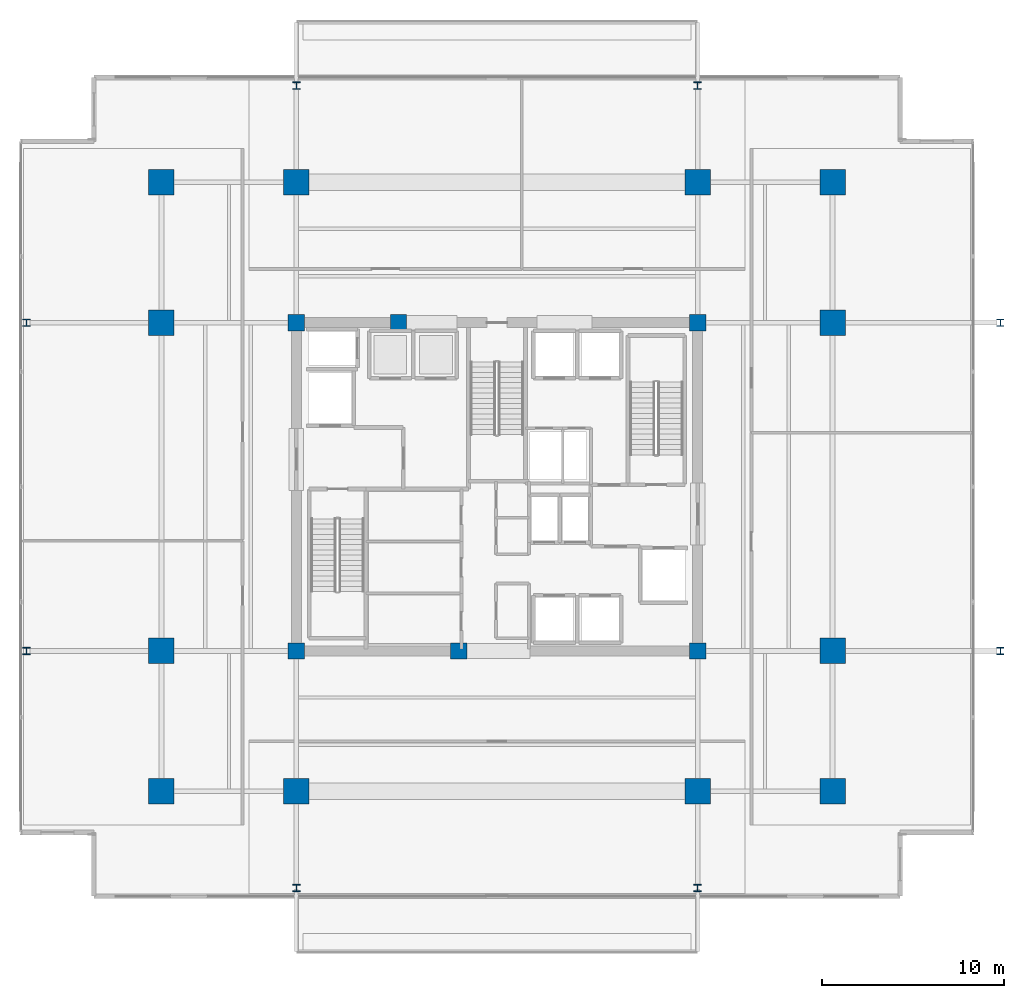
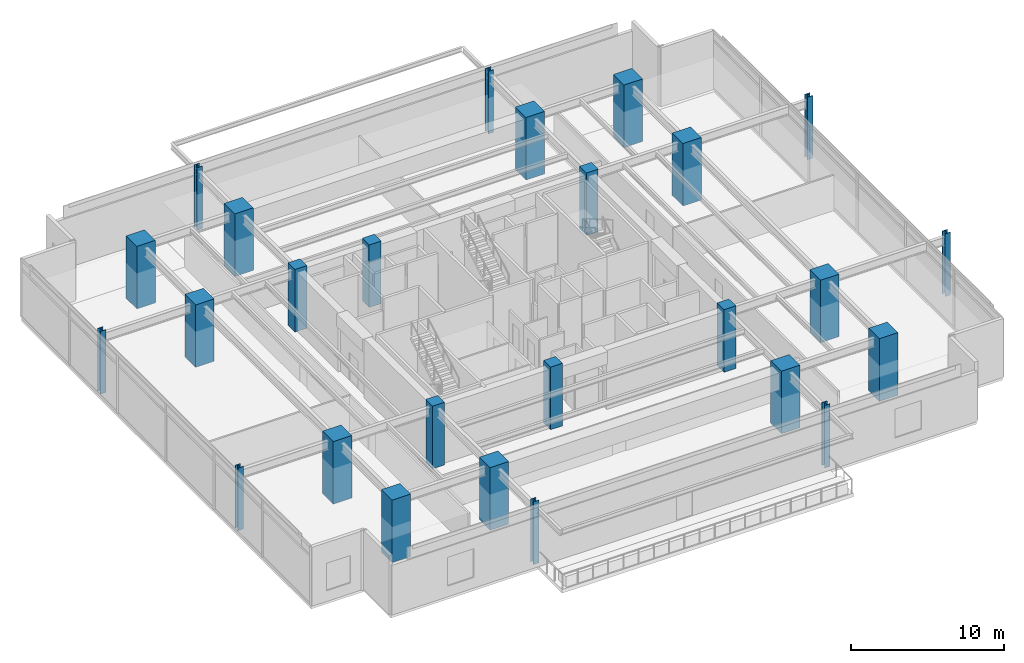
# One storey, part 1 of 25: 26 columns.
"""IFC4 building model written with IfcOpenShell, lengths in metres."""

from ifc_helpers import new_model, si_unit, direction, frame, origin, origin_2d, place, context, subcontext, project, spatial, rectangle, i_section, extrude, material, material_profile, profile_set, type_object, element, save


model = new_model("IFC4")

# Units and contexts
model_context = context("Model", 3, precision=1e-05, world=origin(), true_north=direction((0.0, 1.0)))
body_context = subcontext(model_context, "Body", "Model", "MODEL_VIEW")
ifc_project = project(units=[si_unit("LENGTHUNIT", "METRE"), si_unit("AREAUNIT", "SQUARE_METRE"), si_unit("VOLUMEUNIT", "CUBIC_METRE"), si_unit("PLANEANGLEUNIT", "RADIAN"), si_unit("MASSUNIT", "GRAM", prefix="KILO")], contexts=[model_context])

# Site, building, storey
site_placement = place(None, origin())
site = spatial("IfcSite", under=ifc_project, at=site_placement, CompositionType="ELEMENT")
building_placement = place(site_placement, origin())
building = spatial("IfcBuilding", under=site, at=building_placement, Name="Kovane Verandah Tower", CompositionType="ELEMENT")
storey_placement = place(building_placement, frame((0.0, 0.0, 233.199951171875)))
storey = spatial("IfcBuildingStorey", under=building, at=storey_placement, Name="L54", CompositionType="ELEMENT", Elevation=233.199951171875)

# Columns
ifc_material_1 = material(Name="Concrete C60/75", Category="concrete")
ifc_material_profile_1 = material_profile(ifc_material_1, rectangle(XDim=1.39990234375, YDim=1.39990234375, at=origin_2d()), Name="RC1400x1400")
ifc_profile_set_1 = profile_set([ifc_material_profile_1], Name="Concrete C60/75")
column_type_1 = type_object("IfcColumnType", Name="COL-RC1400", PredefinedType="COLUMN", material=ifc_profile_set_1)
for number, where, z_axis, x_axis, name in (
    (1, (29.0, 10.800048828125, 0.0), (0.0, 0.0, 1.0), (1.0, 0.0, 0.0), "L54 Tower Mega-Column MC-S1"),
    (2, (51.0, 10.800048828125, 0.0), (0.0, 0.0, 1.0), (1.0, 0.0, 0.0), "L54 Tower Mega-Column MC-S2"),
    (3, (29.0, 44.199951171875, 0.0), (0.0, 0.0, 1.0), (1.0, 0.0, 0.0), "L54 Tower Mega-Column MC-N1"),
    (4, (51.0, 44.199951171875, 0.0), (0.0, 0.0, 1.0), (1.0, 0.0, 0.0), "L54 Tower Mega-Column MC-N2"),
    (5, (21.60009765625, 18.5, 0.0), (0.0, 0.0, 1.0), (1.0, 0.0, 0.0), "L54 Tower Mega-Column MC-W1"),
    (6, (21.60009765625, 36.5, 0.0), (0.0, 0.0, 1.0), (1.0, 0.0, 0.0), "L54 Tower Mega-Column MC-W2"),
    (7, (58.39990234375, 18.5, 0.0), (0.0, 0.0, 1.0), (1.0, 0.0, 0.0), "L54 Tower Mega-Column MC-E1"),
    (8, (58.39990234375, 36.5, 0.0), (0.0, 0.0, 1.0), (1.0, 0.0, 0.0), "L54 Tower Mega-Column MC-E2"),
    (9, (21.60009765625, 10.800048828125, 0.0), (0.0, 0.0, 1.0), (1.0, 0.0, 0.0), "L54 Tower Mega-Column MC-SW"),
    (10, (58.39990234375, 10.800048828125, 0.0), (0.0, 0.0, 1.0), (1.0, 0.0, 0.0), "L54 Tower Mega-Column MC-SE"),
    (11, (21.60009765625, 44.199951171875, 0.0), (0.0, 0.0, 1.0), (1.0, 0.0, 0.0), "L54 Tower Mega-Column MC-NW"),
    (12, (58.39990234375, 44.199951171875, 0.0), (0.0, 0.0, 1.0), (1.0, 0.0, 0.0), "L54 Tower Mega-Column MC-NE"),
):
    element("IfcColumn", number, at=place(storey_placement, frame(where, z_axis=z_axis, x_axis=x_axis)), inside=storey, type_object=column_type_1, Name=name, PredefinedType="COLUMN", context=body_context, shape_type="SweptSolid", body=[
        extrude(rectangle(XDim=1.39990234375, YDim=1.39990234375, at=origin_2d()), origin(), (0.0, 0.0, 1.0), 5.0),
    ])
ifc_material_2 = material(Name="Steel S460", Category="steel")
ifc_material_profile_2 = material_profile(ifc_material_2, i_section(OverallWidth=0.403076171875, OverallDepth=0.406494140625, WebThickness=0.026611328125, FlangeThickness=0.04296875, FilletRadius=0.01513671875, at=origin_2d()), Name="UC356x406x340")
ifc_profile_set_2 = profile_set([ifc_material_profile_2], Name="Steel S460")
column_type_2 = type_object("IfcColumnType", Name="COL-UC340", PredefinedType="COLUMN", material=ifc_profile_set_2)
for number, where, z_axis, x_axis, name in (
    (13, (14.199951171875, 18.5, 0.0), (0.0, 0.0, 1.0), (1.0, 0.0, 0.0), "L54 Verandah Perimeter Column VC-W1"),
    (14, (14.199951171875, 36.5, 0.0), (0.0, 0.0, 1.0), (1.0, 0.0, 0.0), "L54 Verandah Perimeter Column VC-W2"),
    (15, (67.60009765625, 18.5, 0.0), (0.0, 0.0, 1.0), (1.0, 0.0, 0.0), "L54 Verandah Perimeter Column VC-E1"),
    (16, (67.60009765625, 36.5, 0.0), (0.0, 0.0, 1.0), (1.0, 0.0, 0.0), "L54 Verandah Perimeter Column VC-E2"),
    (17, (29.0, 5.5, 0.0), (0.0, 0.0, 1.0), (1.0, 0.0, 0.0), "L54 Verandah Perimeter Column VC-S1"),
    (18, (51.0, 5.5, 0.0), (0.0, 0.0, 1.0), (1.0, 0.0, 0.0), "L54 Verandah Perimeter Column VC-S2"),
    (19, (29.0, 49.5, 0.0), (0.0, 0.0, 1.0), (1.0, 0.0, 0.0), "L54 Verandah Perimeter Column VC-N1"),
    (20, (51.0, 49.5, 0.0), (0.0, 0.0, 1.0), (1.0, 0.0, 0.0), "L54 Verandah Perimeter Column VC-N2"),
):
    element("IfcColumn", number, at=place(storey_placement, frame(where, z_axis=z_axis, x_axis=x_axis)), inside=storey, type_object=column_type_2, Name=name, PredefinedType="COLUMN", context=body_context, shape_type="SweptSolid", body=[
        extrude(i_section(OverallWidth=0.403076171875, OverallDepth=0.406494140625, WebThickness=0.026611328125, FlangeThickness=0.04296875, FilletRadius=0.01513671875, at=origin_2d()), origin(), (0.0, 0.0, 1.0), 5.0),
    ])
ifc_material_profile_3 = material_profile(ifc_material_1, rectangle(XDim=0.89990234375, YDim=0.89990234375, at=origin_2d()), Name="RC900x900")
ifc_profile_set_3 = profile_set([ifc_material_profile_3], Name="Concrete C60/75")
column_type_3 = type_object("IfcColumnType", Name="PIL-RC900", PredefinedType="PILASTER", material=ifc_profile_set_3)
for number, where, z_axis, x_axis, name in (
    (21, (29.0, 18.5, 0.0), (0.0, 0.0, 1.0), (1.0, 0.0, 0.0), "L54 Core Pilaster CP-SW"),
    (22, (51.0, 18.5, 0.0), (0.0, 0.0, 1.0), (1.0, 0.0, 0.0), "L54 Core Pilaster CP-SE"),
    (23, (29.0, 36.5, 0.0), (0.0, 0.0, 1.0), (1.0, 0.0, 0.0), "L54 Core Pilaster CP-NW"),
    (24, (51.0, 36.5, 0.0), (0.0, 0.0, 1.0), (1.0, 0.0, 0.0), "L54 Core Pilaster CP-NE"),
    (25, (37.89990234375, 18.5, 0.0), (0.0, 0.0, 1.0), (1.0, 0.0, 0.0), "L54 Core Pilaster CP-S"),
    (26, (34.60009765625, 36.5, 0.0), (0.0, 0.0, 1.0), (1.0, 0.0, 0.0), "L54 Core Pilaster CP-N"),
):
    element("IfcColumn", number, at=place(storey_placement, frame(where, z_axis=z_axis, x_axis=x_axis)), inside=storey, type_object=column_type_3, Name=name, PredefinedType="PILASTER", context=body_context, shape_type="SweptSolid", body=[
        extrude(rectangle(XDim=0.89990234375, YDim=0.89990234375, at=origin_2d()), origin(), (0.0, 0.0, 1.0), 5.0),
    ])

save(model, "model.ifc")
